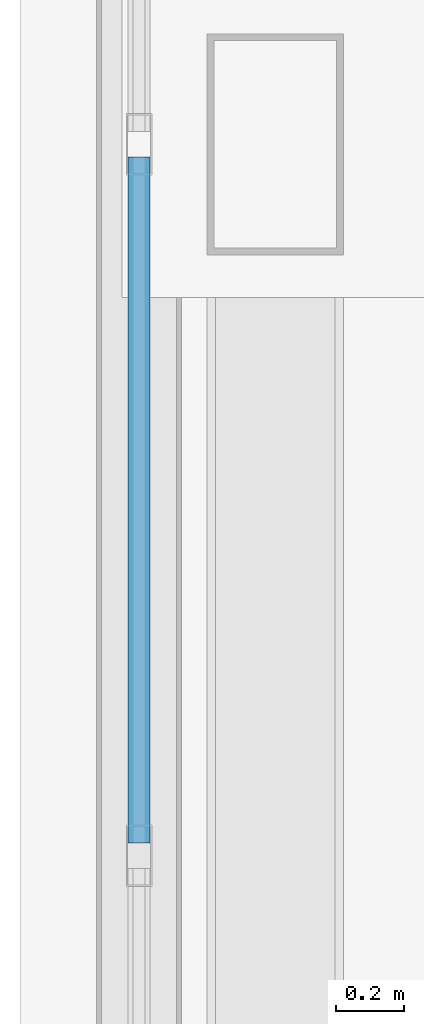
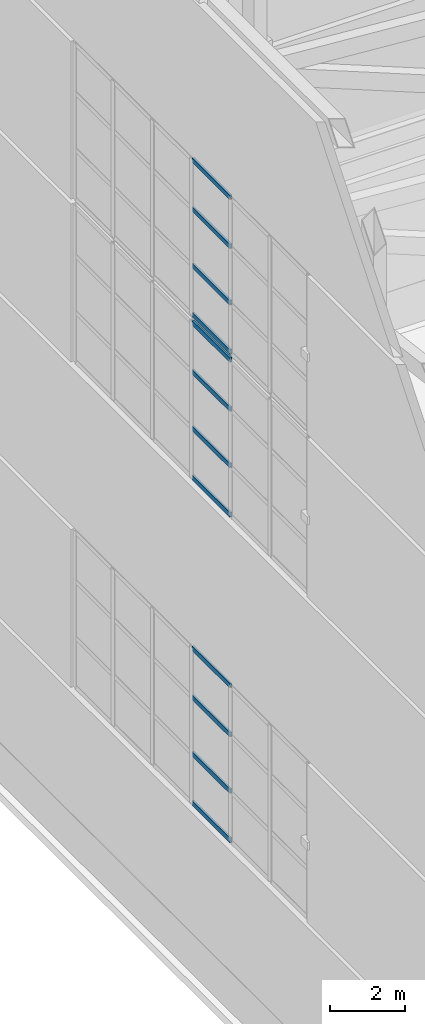
# One storey, part 10 of 47: 12 members, 3 elements without a shape of their own.
"""IFC4 building model written with IfcOpenShell, lengths in metres."""

from ifc_helpers import new_model, si_unit, direction, frame, origin, origin_2d, place, context, subcontext, project, spatial, hollow_rectangle, extrude, material, layer, layer_set, material_profile, profile_set, type_object, element, aggregate, save


model = new_model("IFC4")

# Units and contexts
model_context = context("Model", 3, precision=1e-05, world=origin(), true_north=direction((0.0, 1.0)))
body_context = subcontext(model_context, "Body", "Model", "MODEL_VIEW")
ifc_project = project(units=[si_unit("LENGTHUNIT", "METRE"), si_unit("AREAUNIT", "SQUARE_METRE"), si_unit("VOLUMEUNIT", "CUBIC_METRE"), si_unit("PLANEANGLEUNIT", "RADIAN"), si_unit("MASSUNIT", "GRAM", prefix="KILO")], contexts=[model_context])

# Site, building, storey
site_placement = place(None, origin())
site = spatial("IfcSite", under=ifc_project, at=site_placement, CompositionType="ELEMENT")
building_placement = place(site_placement, origin())
building = spatial("IfcBuilding", under=site, at=building_placement, Name="Qiaolan Cultural Towers", CompositionType="ELEMENT")
storey_placement = place(building_placement, frame((0.0, 0.0, 280.199951171875)))
storey = spatial("IfcBuildingStorey", under=building, at=storey_placement, Name="RF", CompositionType="ELEMENT", Elevation=280.199951171875)

# Curtain wall, members
ifc_material_1 = material(Name="Unitized Anodized Aluminium Curtain Wall System", Category="aluminium")
ifc_layer = layer(ifc_material_1, 0.199951171875)
ifc_layer_set = layer_set([ifc_layer], Name="Unitized Anodized Aluminium Curtain Wall System")
curtain_wall_type = type_object("IfcCurtainWallType", Name="CWS-06", PredefinedType="NOTDEFINED", material=ifc_layer_set)
curtain_wall_1_placement = place(storey_placement, origin())
curtain_wall_1 = element("IfcCurtainWall", 1, at=curtain_wall_1_placement, inside=storey, type_object=curtain_wall_type, Name="T1 Crown Tier 2 Fritted Screen Curtain Wall 7", PredefinedType="NOTDEFINED")
ifc_material_2 = material(Name="Extruded Aluminium 6063-T6", Category="aluminium")
ifc_material_profile = material_profile(ifc_material_2, hollow_rectangle(XDim=0.06494140625, YDim=0.14990234375, WallThickness=0.00390625, at=origin_2d()), Name="CWT-150x65x4")
ifc_profile_set = profile_set([ifc_material_profile], Name="Extruded Aluminium 6063-T6")
member_type = type_object("IfcMemberType", Name="CWS-06-TRN", PredefinedType="USERDEFINED", material=ifc_profile_set)
member_1_placement = place(storey_placement, frame((14.949951171875, 33.96240234375, 5.4326171875), z_axis=(0.0, -1.0, 0.0), x_axis=(1.0, 0.0, 0.0)))
member_1 = element("IfcMember", 2, at=member_1_placement, type_object=member_type, Name="CW-6 transom 4.1", ObjectType="TRANSOM", PredefinedType="USERDEFINED", context=body_context, shape_type="SweptSolid", body=[
    extrude(hollow_rectangle(XDim=0.06494140625, YDim=0.14990234375, WallThickness=0.00390625, at=origin_2d()), origin(), (0.0, 0.0, 1.0), 2.014892578125),
])
member_2_placement = place(storey_placement, frame((14.949951171875, 33.96240234375, 7.030029296875), z_axis=(0.0, -1.0, 0.0), x_axis=(1.0, 0.0, 0.0)))
member_2 = element("IfcMember", 3, at=member_2_placement, type_object=member_type, Name="CW-6 transom 4.2", ObjectType="TRANSOM", PredefinedType="USERDEFINED", context=body_context, shape_type="SweptSolid", body=[
    extrude(hollow_rectangle(XDim=0.06494140625, YDim=0.14990234375, WallThickness=0.00390625, at=origin_2d()), origin(), (0.0, 0.0, 1.0), 2.014892578125),
])
member_3_placement = place(storey_placement, frame((14.949951171875, 33.96240234375, 8.8701171875), z_axis=(0.0, -1.0, 0.0), x_axis=(1.0, 0.0, 0.0)))
member_3 = element("IfcMember", 4, at=member_3_placement, type_object=member_type, Name="CW-6 transom 4.3", ObjectType="TRANSOM", PredefinedType="USERDEFINED", context=body_context, shape_type="SweptSolid", body=[
    extrude(hollow_rectangle(XDim=0.06494140625, YDim=0.14990234375, WallThickness=0.00390625, at=origin_2d()), origin(), (0.0, 0.0, 1.0), 2.014892578125),
])
member_4_placement = place(storey_placement, frame((14.949951171875, 33.96240234375, 10.467529296875), z_axis=(0.0, -1.0, 0.0), x_axis=(1.0, 0.0, 0.0)))
member_4 = element("IfcMember", 5, at=member_4_placement, type_object=member_type, Name="CW-6 transom 4.4", ObjectType="TRANSOM", PredefinedType="USERDEFINED", context=body_context, shape_type="SweptSolid", body=[
    extrude(hollow_rectangle(XDim=0.06494140625, YDim=0.14990234375, WallThickness=0.00390625, at=origin_2d()), origin(), (0.0, 0.0, 1.0), 2.014892578125),
])
aggregate(curtain_wall_1, [member_1, member_2, member_3, member_4])

curtain_wall_2_placement = place(storey_placement, origin())
curtain_wall_2 = element("IfcCurtainWall", 6, at=curtain_wall_2_placement, inside=storey, type_object=curtain_wall_type, Name="T1 Crown Tier 4 Fritted Screen Curtain Wall 7", PredefinedType="NOTDEFINED")
member_5_placement = place(storey_placement, frame((14.949951171875, 33.96240234375, 16.032470703125), z_axis=(0.0, -1.0, 0.0), x_axis=(1.0, 0.0, 0.0)))
member_5 = element("IfcMember", 7, at=member_5_placement, type_object=member_type, Name="CW-6 transom 4.1", ObjectType="TRANSOM", PredefinedType="USERDEFINED", context=body_context, shape_type="SweptSolid", body=[
    extrude(hollow_rectangle(XDim=0.06494140625, YDim=0.14990234375, WallThickness=0.00390625, at=origin_2d()), origin(), (0.0, 0.0, 1.0), 2.014892578125),
])
member_6_placement = place(storey_placement, frame((14.949951171875, 33.96240234375, 17.630126953125), z_axis=(0.0, -1.0, 0.0), x_axis=(1.0, 0.0, 0.0)))
member_6 = element("IfcMember", 8, at=member_6_placement, type_object=member_type, Name="CW-6 transom 4.2", ObjectType="TRANSOM", PredefinedType="USERDEFINED", context=body_context, shape_type="SweptSolid", body=[
    extrude(hollow_rectangle(XDim=0.06494140625, YDim=0.14990234375, WallThickness=0.00390625, at=origin_2d()), origin(), (0.0, 0.0, 1.0), 2.014892578125),
])
member_7_placement = place(storey_placement, frame((14.949951171875, 33.96240234375, 19.469970703125), z_axis=(0.0, -1.0, 0.0), x_axis=(1.0, 0.0, 0.0)))
member_7 = element("IfcMember", 9, at=member_7_placement, type_object=member_type, Name="CW-6 transom 4.3", ObjectType="TRANSOM", PredefinedType="USERDEFINED", context=body_context, shape_type="SweptSolid", body=[
    extrude(hollow_rectangle(XDim=0.06494140625, YDim=0.14990234375, WallThickness=0.00390625, at=origin_2d()), origin(), (0.0, 0.0, 1.0), 2.014892578125),
])
member_8_placement = place(storey_placement, frame((14.949951171875, 33.96240234375, 21.067626953125), z_axis=(0.0, -1.0, 0.0), x_axis=(1.0, 0.0, 0.0)))
member_8 = element("IfcMember", 10, at=member_8_placement, type_object=member_type, Name="CW-6 transom 4.4", ObjectType="TRANSOM", PredefinedType="USERDEFINED", context=body_context, shape_type="SweptSolid", body=[
    extrude(hollow_rectangle(XDim=0.06494140625, YDim=0.14990234375, WallThickness=0.00390625, at=origin_2d()), origin(), (0.0, 0.0, 1.0), 2.014892578125),
])
aggregate(curtain_wall_2, [member_5, member_6, member_7, member_8])

curtain_wall_3_placement = place(storey_placement, origin())
curtain_wall_3 = element("IfcCurtainWall", 11, at=curtain_wall_3_placement, inside=storey, type_object=curtain_wall_type, Name="T1 Crown Tier 5 Fritted Screen Curtain Wall 7", PredefinedType="NOTDEFINED")
member_9_placement = place(storey_placement, frame((14.949951171875, 33.96240234375, 21.33251953125), z_axis=(0.0, -1.0, 0.0), x_axis=(1.0, 0.0, 0.0)))
member_9 = element("IfcMember", 12, at=member_9_placement, type_object=member_type, Name="CW-6 transom 4.1", ObjectType="TRANSOM", PredefinedType="USERDEFINED", context=body_context, shape_type="SweptSolid", body=[
    extrude(hollow_rectangle(XDim=0.06494140625, YDim=0.14990234375, WallThickness=0.00390625, at=origin_2d()), origin(), (0.0, 0.0, 1.0), 2.014892578125),
])
member_10_placement = place(storey_placement, frame((14.949951171875, 33.96240234375, 22.929931640625), z_axis=(0.0, -1.0, 0.0), x_axis=(1.0, 0.0, 0.0)))
member_10 = element("IfcMember", 13, at=member_10_placement, type_object=member_type, Name="CW-6 transom 4.2", ObjectType="TRANSOM", PredefinedType="USERDEFINED", context=body_context, shape_type="SweptSolid", body=[
    extrude(hollow_rectangle(XDim=0.06494140625, YDim=0.14990234375, WallThickness=0.00390625, at=origin_2d()), origin(), (0.0, 0.0, 1.0), 2.014892578125),
])
member_11_placement = place(storey_placement, frame((14.949951171875, 33.96240234375, 24.77001953125), z_axis=(0.0, -1.0, 0.0), x_axis=(1.0, 0.0, 0.0)))
member_11 = element("IfcMember", 14, at=member_11_placement, type_object=member_type, Name="CW-6 transom 4.3", ObjectType="TRANSOM", PredefinedType="USERDEFINED", context=body_context, shape_type="SweptSolid", body=[
    extrude(hollow_rectangle(XDim=0.06494140625, YDim=0.14990234375, WallThickness=0.00390625, at=origin_2d()), origin(), (0.0, 0.0, 1.0), 2.014892578125),
])
member_12_placement = place(storey_placement, frame((14.949951171875, 33.96240234375, 26.367431640625), z_axis=(0.0, -1.0, 0.0), x_axis=(1.0, 0.0, 0.0)))
member_12 = element("IfcMember", 15, at=member_12_placement, type_object=member_type, Name="CW-6 transom 4.4", ObjectType="TRANSOM", PredefinedType="USERDEFINED", context=body_context, shape_type="SweptSolid", body=[
    extrude(hollow_rectangle(XDim=0.06494140625, YDim=0.14990234375, WallThickness=0.00390625, at=origin_2d()), origin(), (0.0, 0.0, 1.0), 2.014892578125),
])
aggregate(curtain_wall_3, [member_9, member_10, member_11, member_12])

save(model, "model.ifc")
